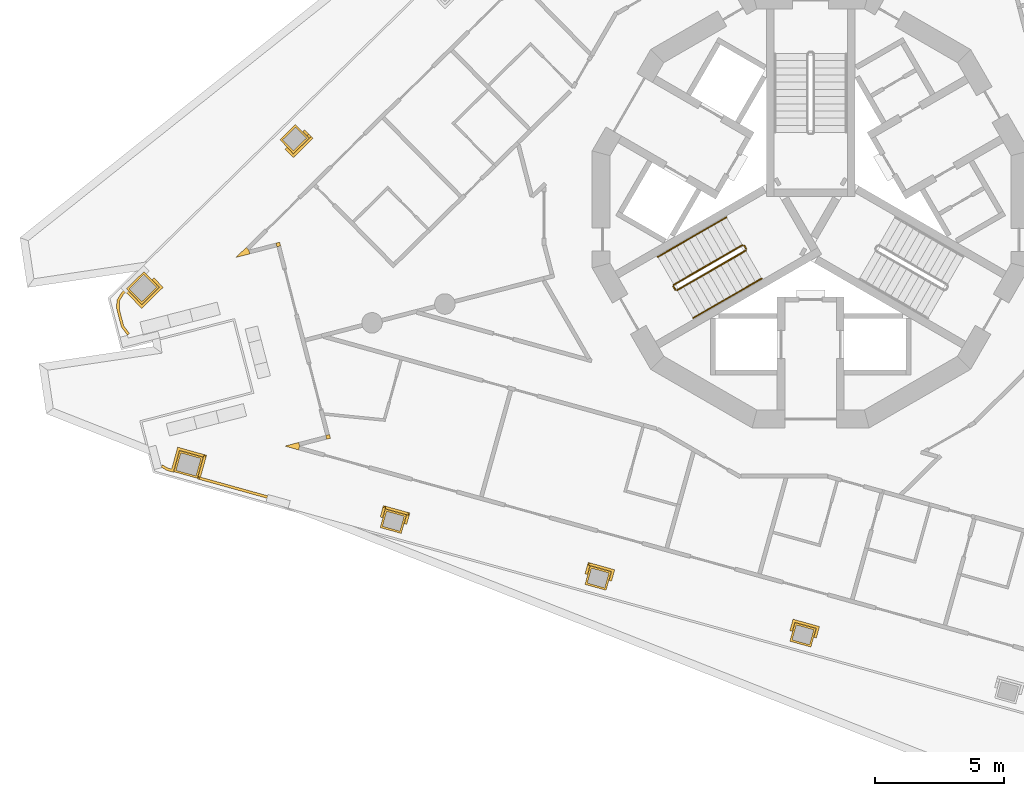
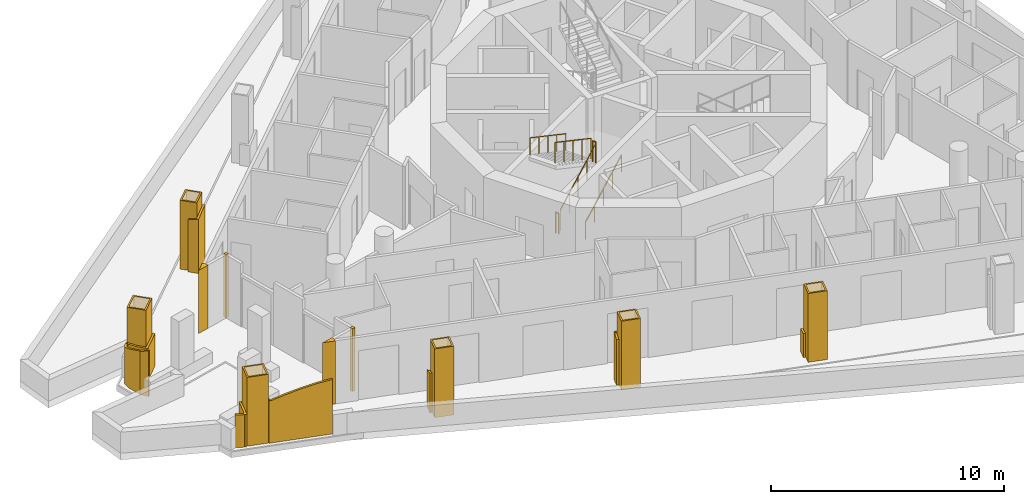
# One storey, part 10 of 14: 14 railings, 10 coverings.
"""IFC4 building model written with IfcOpenShell, lengths in metres."""

import ifcopenshell
import ifcopenshell.guid

model = None  # the IFC model being written
_history = None  # IfcOwnerHistory: only IFC2X3 demands one
_inside = {}  # id of a spatial element -> (the spatial element, [elements in it])
_under = {}  # id of a project, library or spatial element -> (it, [spatial elements below it])
_declared = {}  # id of a project -> (the project, [libraries it declares])
_typed = {}  # id of a type object -> (the type object, [elements of that type])
_made_of = {}  # id of a material, layer set ... -> (it, [elements and type objects made of it])


def new_model(schema):
    """Start an empty IFC model of exactly this schema.

    Asked for "IFC4X3", IfcOpenShell would pick the latest addendum, in which some entities
    have other attributes; the version numbers below select the first issue.
    IFC2X3 requires an IfcOwnerHistory on every rooted entity: one is made here for all.
    """
    global model, _history
    if schema == "IFC4X3":
        model = ifcopenshell.file(schema_version=(4, 3, 0, 0))
    else:
        model = ifcopenshell.file(schema=schema)
    _inside.clear()
    _under.clear()
    _declared.clear()
    _typed.clear()
    _made_of.clear()
    _history = None
    if model.schema == "IFC2X3":
        org = make("IfcOrganization", Name="unknown")
        user = make(
            "IfcPersonAndOrganization",
            ThePerson=make("IfcPerson", FamilyName="unknown"),
            TheOrganization=org,
        )
        app = make(
            "IfcApplication",
            ApplicationDeveloper=org,
            Version="unknown",
            ApplicationFullName="unknown",
            ApplicationIdentifier="unknown",
        )
        _history = make(
            "IfcOwnerHistory",
            OwningUser=user,
            OwningApplication=app,
            ChangeAction="ADDED",
            CreationDate=0,
        )
    return model


def make(cls, **values):
    """One entity of the class cls with the attributes given. An attribute that is None is left unset."""
    return model.create_entity(
        cls, **{name: value for name, value in values.items() if value is not None}
    )


def rooted(cls, **values):
    """An entity with a GlobalId (a new one), such as an element, a storey or a relation."""
    return make(cls, GlobalId=ifcopenshell.guid.new(), OwnerHistory=_history, **values)


def si_unit(unit_type, name, prefix=None):
    """IfcSIUnit, for example si_unit("LENGTHUNIT", "METRE", prefix="MILLI")."""
    return make("IfcSIUnit", UnitType=unit_type, Prefix=prefix, Name=name)


def assignment(units):
    """IfcUnitAssignment: the units of a project."""
    return None if units is None else make("IfcUnitAssignment", Units=units)


def point(xyz):
    """IfcCartesianPoint."""
    return None if xyz is None else make("IfcCartesianPoint", Coordinates=xyz)


def direction(xyz):
    """IfcDirection."""
    return None if xyz is None else make("IfcDirection", DirectionRatios=xyz)


def frame(location, z_axis=None, x_axis=None):
    """IfcAxis2Placement3D, a coordinate frame: its origin and axes. An axis left out is left unset."""
    return make(
        "IfcAxis2Placement3D",
        Location=point(location),
        Axis=direction(z_axis),
        RefDirection=direction(x_axis),
    )


def frame_2d(location, x_axis=None):
    """IfcAxis2Placement2D, a coordinate frame in the plane: its origin and x axis."""
    return make(
        "IfcAxis2Placement2D", Location=point(location), RefDirection=direction(x_axis)
    )


def origin():
    """The frame at (0, 0, 0) with its axes left unset."""
    return frame((0.0, 0.0, 0.0))


def origin_2d():
    """The frame at (0, 0) in the plane with its x axis left unset."""
    return frame_2d((0.0, 0.0))


def place(relative_to, where):
    """IfcLocalPlacement: puts the frame where relative to a parent placement (None: the world)."""
    return make(
        "IfcLocalPlacement", PlacementRelTo=relative_to, RelativePlacement=where
    )


def context(
    kind, dimensions, precision=None, world=None, true_north=None, identifier=None
):
    """IfcGeometricRepresentationContext, for example the 3D "Model" context."""
    return make(
        "IfcGeometricRepresentationContext",
        ContextIdentifier=identifier,
        ContextType=kind,
        CoordinateSpaceDimension=dimensions,
        Precision=precision,
        WorldCoordinateSystem=world,
        TrueNorth=true_north,
    )


def subcontext(parent, identifier, kind, view, scale=None):
    """IfcGeometricRepresentationSubContext, for example "Body" below "Model"."""
    return make(
        "IfcGeometricRepresentationSubContext",
        ContextIdentifier=identifier,
        ContextType=kind,
        ParentContext=parent,
        TargetScale=scale,
        TargetView=view,
    )


def project(units=None, contexts=None):
    """IfcProject with its units and contexts."""
    return rooted(
        "IfcProject",
        Name="project",
        RepresentationContexts=contexts,
        UnitsInContext=assignment(units),
    )


def spatial(cls, under=None, at=None, **own):
    """A site, building, storey or space (cls), placed at a placement, below another one or the project."""
    s = rooted(cls, ObjectPlacement=at, **own)
    if under is not None:
        _under.setdefault(under.id(), (under, []))[1].append(s)
    return s


def polyline(points):
    """IfcPolyline through the points."""
    return make("IfcPolyline", Points=[point(p) for p in points])


def profile(cls, at=None, kind="AREA", **sizes):
    """A parametric profile (cls). Its sizes go by their IFC names, for example OverallWidth=200.0."""
    return make(cls, ProfileType=kind, Position=at, **sizes)


def circle(**sizes):
    """IfcCircleProfileDef."""
    return profile("IfcCircleProfileDef", **sizes)


def outline(outer, holes=None, kind="AREA"):
    """IfcArbitraryClosedProfileDef: a profile drawn as a closed curve; with holes, ...WithVoids."""
    if holes is None:
        return make("IfcArbitraryClosedProfileDef", ProfileType=kind, OuterCurve=outer)
    return make(
        "IfcArbitraryProfileDefWithVoids",
        ProfileType=kind,
        OuterCurve=outer,
        InnerCurves=holes,
    )


def extrude(swept, where, along, depth):
    """IfcExtrudedAreaSolid: the profile swept, set in the frame where, extruded along a direction by depth."""
    return make(
        "IfcExtrudedAreaSolid",
        SweptArea=swept,
        Position=where,
        ExtrudedDirection=direction(along),
        Depth=depth,
    )


def shape(context_of_items, identifier, shape_type, items):
    """IfcShapeRepresentation: the items that make up one representation, for example the "Body"."""
    return make(
        "IfcShapeRepresentation",
        ContextOfItems=context_of_items,
        RepresentationIdentifier=identifier,
        RepresentationType=shape_type,
        Items=items,
    )


def material(Name=None, Category=None):
    """IfcMaterial."""
    return make("IfcMaterial", Name=Name, Category=Category)


def layer(
    of_material, thickness, ventilated=None, Name=None, Category=None, Priority=None
):
    """IfcMaterialLayer: one layer of a wall or slab, of a material (None: an air gap)."""
    return make(
        "IfcMaterialLayer",
        Material=of_material,
        LayerThickness=thickness,
        IsVentilated=ventilated,
        Name=Name,
        Category=Category,
        Priority=Priority,
    )


def layer_set(layers, Name=None):
    """IfcMaterialLayerSet."""
    return make("IfcMaterialLayerSet", MaterialLayers=layers, LayerSetName=Name)


def made_of(thing, what):
    """Note that an element or type object is made of a material, layer set ...; save() writes the relation."""
    if what is not None:
        _made_of.setdefault(what.id(), (what, []))[1].append(thing)
    return thing


def type_object(cls, material=None, **own):
    """A type object (cls), such as IfcWallType, which elements share."""
    return made_of(rooted(cls, **own), material)


def element(
    cls,
    number,
    at=None,
    inside=None,
    cuts=None,
    type_object=None,
    material=None,
    context=None,
    identifier="Body",
    shape_type=None,
    held_by="IfcProductDefinitionShape",
    body=None,
    shapes=None,
    **own,
):
    """One element of the class cls, such as IfcWall. Its Tag is "e" and its number.

    at: its placement. inside: the storey or other place that contains it. cuts: it is an
    opening in that element (IfcRelVoidsElement). A single representation is given by context,
    identifier, shape_type and body (its items); several are given by shapes. held_by: the class
    of the entity that holds the representations. save() writes the other relations.
    """
    e = rooted(cls, Tag="e%d" % number, ObjectPlacement=at, **own)
    if body is not None:
        shapes = [shape(context, identifier, shape_type, body)]
    if shapes is not None:
        e.Representation = make(held_by, Representations=shapes)
    if inside is not None:
        _inside.setdefault(inside.id(), (inside, []))[1].append(e)
    if cuts is not None:
        rooted(
            "IfcRelVoidsElement", RelatingBuildingElement=cuts, RelatedOpeningElement=e
        )
    if type_object is not None:
        _typed.setdefault(type_object.id(), (type_object, []))[1].append(e)
    return made_of(e, material)


def aggregate(whole, parts):
    """IfcRelAggregates: a whole, such as a stair, and the parts it consists of."""
    return rooted("IfcRelAggregates", RelatingObject=whole, RelatedObjects=parts)


def save(model, path):
    """Write the relations noted so far, then the file.

    IfcRelAggregates (storeys below a building ...), IfcRelContainedInSpatialStructure (elements
    in a storey), IfcRelDefinesByType, IfcRelAssociatesMaterial and IfcRelDeclares: one each for
    every whole, place, type object, material and project.
    """
    for whole, parts in _under.values():
        aggregate(whole, parts)
    for where, things in _inside.values():
        rooted(
            "IfcRelContainedInSpatialStructure",
            RelatedElements=things,
            RelatingStructure=where,
        )
    for kind, things in _typed.values():
        rooted("IfcRelDefinesByType", RelatedObjects=things, RelatingType=kind)
    for what, things in _made_of.values():
        rooted("IfcRelAssociatesMaterial", RelatedObjects=things, RelatingMaterial=what)
    for by, libraries in _declared.values():
        rooted("IfcRelDeclares", RelatingContext=by, RelatedDefinitions=libraries)
    model.write(path)


model = new_model("IFC4")

# Units and contexts
model_context = context("Model", 3, precision=1e-05, world=origin(), true_north=direction((0.0, 1.0)))
body_context = subcontext(model_context, "Body", "Model", "MODEL_VIEW")
ifc_project = project(units=[si_unit("LENGTHUNIT", "METRE"), si_unit("AREAUNIT", "SQUARE_METRE"), si_unit("VOLUMEUNIT", "CUBIC_METRE"), si_unit("PLANEANGLEUNIT", "RADIAN"), si_unit("MASSUNIT", "GRAM", prefix="KILO")], contexts=[model_context])

# Site, building, storey
site_placement = place(None, origin())
site = spatial("IfcSite", under=ifc_project, at=site_placement, CompositionType="ELEMENT")
building_placement = place(site_placement, origin())
building = spatial("IfcBuilding", under=site, at=building_placement, Name="Trine Commons Tower", CompositionType="ELEMENT")
storey_placement = place(building_placement, frame((0.0, 0.0, 234.89990234375)))
storey = spatial("IfcBuildingStorey", under=building, at=storey_placement, Name="L61", CompositionType="ELEMENT", Elevation=234.89990234375)

# Coverings
ifc_material_1 = material(Name="Aluminium-framed insulated wall panel", Category="aluminium")
ifc_layer_1 = layer(ifc_material_1, 0.14990234375)
ifc_layer_set_1 = layer_set([ifc_layer_1], Name="Aluminium-framed insulated wall panel")
covering_type_1 = type_object("IfcCoveringType", Name="Glazing corner post, aluminium", PredefinedType="CLADDING", material=ifc_layer_set_1)
covering_1_placement = place(storey_placement, origin())
element("IfcCovering", 1, at=covering_1_placement, inside=storey, type_object=covering_type_1, Name="Glazing corner post 7-01", PredefinedType="CLADDING", context=body_context, shape_type="SweptSolid", body=[
    extrude(outline(polyline([(58.186279296875, 60.773193359375), (58.14892578125, 60.91845703125), (58.043701171875, 61.025390625), (57.644287109375, 60.63330078125), (58.186279296875, 60.773193359375)])), origin(), (0.0, 0.0, 1.0), 3.300048828125),
])
covering_2_placement = place(storey_placement, origin())
element("IfcCovering", 2, at=covering_2_placement, inside=storey, type_object=covering_type_1, Name="Glazing corner post 7-10", PredefinedType="CLADDING", context=body_context, shape_type="SweptSolid", body=[
    extrude(outline(polyline([(60.081787109375, 53.14501953125), (60.121826171875, 53.28955078125), (60.084228515625, 53.434814453125), (59.542236328125, 53.294677734375), (60.081787109375, 53.14501953125)])), origin(), (0.0, 0.0, 1.0), 3.300048828125),
])
covering_3_placement = place(storey_placement, origin())
element("IfcCovering", 3, at=covering_3_placement, inside=storey, type_object=covering_type_1, Name="Glazing corner post 7-11", PredefinedType="CLADDING", context=body_context, shape_type="SweptSolid", body=[
    extrude(outline(polyline([(61.135498046875, 53.70654296875), (61.135498046875, 53.70654296875), (61.173095703125, 53.561279296875), (61.318115234375, 53.598876953125), (61.28076171875, 53.744140625), (61.135498046875, 53.70654296875)])), origin(), (0.0, 0.0, 1.0), 3.300048828125),
])
covering_4_placement = place(storey_placement, origin())
element("IfcCovering", 4, at=covering_4_placement, inside=storey, type_object=covering_type_1, Name="Glazing corner post 7-12", PredefinedType="CLADDING", context=body_context, shape_type="SweptSolid", body=[
    extrude(outline(polyline([(59.199951171875, 61.1904296875), (59.237548828125, 61.045166015625), (59.3828125, 61.082763671875), (59.34521484375, 61.227783203125), (59.199951171875, 61.1904296875)])), origin(), (0.0, 0.0, 1.0), 3.300048828125),
])
ifc_material_2 = material(Name="Limestone, honed", Category="masonry")
ifc_layer_2 = layer(ifc_material_2, 0.074951171875)
ifc_layer_set_2 = layer_set([ifc_layer_2], Name="Limestone, honed")
covering_type_2 = type_object("IfcCoveringType", Name="Limestone column cladding 75", PredefinedType="CLADDING", material=ifc_layer_set_2)
covering_5_placement = place(storey_placement, origin())
element("IfcCovering", 5, at=covering_5_placement, inside=storey, type_object=covering_type_2, Name="Limestone pier cladding 7-03", PredefinedType="CLADDING", context=body_context, shape_type="SweptSolid", body=[
    extrude(outline(polyline([(79.3916015625, 46.42529296875), (79.19091796875, 45.70263671875), (80.010009765625, 45.4755859375), (80.210693359375, 46.1982421875), (79.3916015625, 46.42529296875)]), holes=[polyline([(79.443603515625, 46.3330078125), (79.283447265625, 45.7548828125), (79.9580078125, 45.56787109375), (80.1181640625, 46.14599609375), (79.443603515625, 46.3330078125)])]), origin(), (0.0, 0.0, 1.0), 3.60009765625),
])
covering_6_placement = place(storey_placement, origin())
element("IfcCovering", 6, at=covering_6_placement, inside=storey, type_object=covering_type_2, Name="Limestone pier cladding 7-04", PredefinedType="CLADDING", context=body_context, shape_type="SweptSolid", body=[
    extrude(outline(polyline([(71.423583984375, 48.635009765625), (71.222900390625, 47.912353515625), (72.0419921875, 47.685302734375), (72.24267578125, 48.407958984375), (71.423583984375, 48.635009765625)]), holes=[polyline([(71.4755859375, 48.542724609375), (71.3154296875, 47.964599609375), (71.989990234375, 47.777587890625), (72.150146484375, 48.355712890625), (71.4755859375, 48.542724609375)])]), origin(), (0.0, 0.0, 1.0), 3.60009765625),
])
covering_7_placement = place(storey_placement, origin())
element("IfcCovering", 7, at=covering_7_placement, inside=storey, type_object=covering_type_2, Name="Limestone pier cladding 7-05", PredefinedType="CLADDING", context=body_context, shape_type="SweptSolid", body=[
    extrude(outline(polyline([(63.45556640625, 50.8447265625), (63.2548828125, 50.1220703125), (64.07421875, 49.89501953125), (64.274658203125, 50.61767578125), (63.45556640625, 50.8447265625)]), holes=[polyline([(63.5078125, 50.75244140625), (63.347412109375, 50.17431640625), (64.02197265625, 49.9873046875), (64.18212890625, 50.5654296875), (63.5078125, 50.75244140625)])]), origin(), (0.0, 0.0, 1.0), 3.60009765625),
])
covering_8_placement = place(storey_placement, origin())
element("IfcCovering", 8, at=covering_8_placement, inside=storey, type_object=covering_type_2, Name="Limestone pier cladding 7-06", PredefinedType="CLADDING", context=body_context, shape_type="SweptSolid", body=[
    extrude(outline(polyline([(55.45263671875, 53.115966796875), (55.2255859375, 52.296875), (56.140869140625, 52.04296875), (56.3681640625, 52.862060546875), (55.45263671875, 53.115966796875)]), holes=[polyline([(55.5048828125, 53.023681640625), (55.31787109375, 52.34912109375), (56.088623046875, 52.13525390625), (56.27587890625, 52.809814453125), (55.5048828125, 53.023681640625)])]), origin(), (0.0, 0.0, 1.0), 3.60009765625),
])
covering_9_placement = place(storey_placement, origin())
element("IfcCovering", 9, at=covering_9_placement, inside=storey, type_object=covering_type_2, Name="Limestone pier cladding 7-07", PredefinedType="CLADDING", context=body_context, shape_type="SweptSolid", body=[
    extrude(outline(polyline([(54.65869140625, 59.472412109375), (54.062744140625, 60.078857421875), (53.38525390625, 59.412841796875), (53.98095703125, 58.806640625), (54.65869140625, 59.472412109375)]), holes=[polyline([(54.552490234375, 59.473388671875), (54.06201171875, 59.97265625), (53.4912109375, 59.412109375), (53.98193359375, 58.91259765625), (54.552490234375, 59.473388671875)])]), origin(), (0.0, 0.0, 1.0), 3.60009765625),
])
covering_10_placement = place(storey_placement, origin())
element("IfcCovering", 10, at=covering_10_placement, inside=storey, type_object=covering_type_2, Name="Limestone pier cladding 7-08", PredefinedType="CLADDING", context=body_context, shape_type="SweptSolid", body=[
    extrude(outline(polyline([(60.485595703125, 65.268798828125), (59.959716796875, 65.8037109375), (59.353515625, 65.2080078125), (59.879150390625, 64.6728515625), (60.485595703125, 65.268798828125)]), holes=[polyline([(60.37939453125, 65.26953125), (59.958984375, 65.697509765625), (59.459716796875, 65.20703125), (59.880126953125, 64.779052734375), (60.37939453125, 65.26953125)])]), origin(), (0.0, 0.0, 1.0), 3.60009765625),
])

# Railings
ifc_material_3 = material(Name="Stainless steel balustrade", Category="steel")
railing_type_1 = type_object("IfcRailingType", Name="Stair guard, steel balustrade 1100", PredefinedType="GUARDRAIL", material=ifc_material_3)
railing_1_placement = place(storey_placement, frame((74.80517578125, 59.3564453125, 0.150146484375)))
element("IfcRailing", 11, at=railing_1_placement, inside=storey, type_object=railing_type_1, Name="L61 ST2C stair guard 1", PredefinedType="GUARDRAIL", context=body_context, shape_type="SweptSolid", body=[
    extrude(circle(Radius=0.02392578125, at=origin_2d()), frame((0.0, 0.0, 1.076171875), z_axis=(0.76340495495, 0.440743040072, 0.472184759798), x_axis=(-0.499992328818, 0.866029832698, 0.0)), (0.0, 0.0, 1.0), 3.494140625),
    extrude(circle(Radius=0.02099609375, at=origin_2d()), origin(), (0.0, 0.0, 1.0), 1.052001953125),
    extrude(circle(Radius=0.02099609375, at=origin_2d()), frame((0.6669921875, 0.385009765625, 0.41259765625)), (0.0, 0.0, 1.0), 1.052001953125),
    extrude(circle(Radius=0.02099609375, at=origin_2d()), frame((1.333740234375, 0.77001953125, 0.824951171875)), (0.0, 0.0, 1.0), 1.052001953125),
    extrude(circle(Radius=0.02099609375, at=origin_2d()), frame((2.00048828125, 1.155029296875, 1.2373046875)), (0.0, 0.0, 1.0), 1.052001953125),
    extrude(circle(Radius=0.02099609375, at=origin_2d()), frame((2.66748046875, 1.5400390625, 1.64990234375)), (0.0, 0.0, 1.0), 1.052001953125),
])
railing_2_placement = place(storey_placement, frame((77.490966796875, 60.96484375, 1.800048828125)))
element("IfcRailing", 12, at=railing_2_placement, inside=storey, type_object=railing_type_1, Name="L61 ST2C stair guard 2", PredefinedType="GUARDRAIL", context=body_context, shape_type="SweptSolid", body=[
    extrude(circle(Radius=0.02392578125, at=origin_2d()), frame((0.0, 0.0, 1.076171875), z_axis=(-0.501036270542, 0.865426285481, 0.0), x_axis=(-0.865426285481, -0.501036270542, 0.0)), (0.0, 0.0, 1.0), 0.150146484375),
    extrude(circle(Radius=0.02099609375, at=origin_2d()), origin(), (0.0, 0.0, 1.0), 1.052001953125),
    extrude(circle(Radius=0.02099609375, at=origin_2d()), frame((-0.0751953125, 0.1298828125, 0.0)), (0.0, 0.0, 1.0), 1.052001953125),
])
railing_3_placement = place(storey_placement, frame((77.34765625, 61.113037109375, 1.9501953125)))
element("IfcRailing", 13, at=railing_3_placement, inside=storey, type_object=railing_type_1, Name="L61 ST2C stair guard 3", PredefinedType="GUARDRAIL", context=body_context, shape_type="SweptSolid", body=[
    extrude(circle(Radius=0.02392578125, at=origin_2d()), frame((0.0, 0.0, 1.076171875), z_axis=(-0.76340495495, -0.440743040072, 0.472184759798), x_axis=(0.499992328818, -0.866029832698, 0.0)), (0.0, 0.0, 1.0), 3.494140625),
    extrude(circle(Radius=0.02099609375, at=origin_2d()), origin(), (0.0, 0.0, 1.0), 1.052001953125),
    extrude(circle(Radius=0.02099609375, at=origin_2d()), frame((-0.6669921875, -0.385009765625, 0.41259765625)), (0.0, 0.0, 1.0), 1.052001953125),
    extrude(circle(Radius=0.02099609375, at=origin_2d()), frame((-1.333740234375, -0.77001953125, 0.824951171875)), (0.0, 0.0, 1.0), 1.052001953125),
    extrude(circle(Radius=0.02099609375, at=origin_2d()), frame((-2.00048828125, -1.155029296875, 1.2373046875)), (0.0, 0.0, 1.0), 1.052001953125),
    extrude(circle(Radius=0.02099609375, at=origin_2d()), frame((-2.66748046875, -1.5400390625, 1.64990234375)), (0.0, 0.0, 1.0), 1.052001953125),
])
railing_4_placement = place(storey_placement, frame((74.73681640625, 59.374755859375, 0.0)))
element("IfcRailing", 14, at=railing_4_placement, inside=storey, type_object=railing_type_1, Name="L61 ST2C stair guard 4", PredefinedType="GUARDRAIL", context=body_context, shape_type="SweptSolid", body=[
    extrude(circle(Radius=0.02392578125, at=origin_2d()), frame((0.0, 0.0, 1.076171875), z_axis=(-0.499816412211, 0.866131372301, 0.0), x_axis=(-0.866131372301, -0.499816412211, 0.0)), (0.0, 0.0, 1.0), 0.14990234375),
    extrude(circle(Radius=0.02099609375, at=origin_2d()), origin(), (0.0, 0.0, 1.0), 1.052001953125),
    extrude(circle(Radius=0.02099609375, at=origin_2d()), frame((-0.074951171875, 0.1298828125, 0.0)), (0.0, 0.0, 1.0), 1.052001953125),
])
ifc_material_4 = material(Name="Stainless steel handrail", Category="steel")
railing_type_2 = type_object("IfcRailingType", Name="Stair handrail, steel 900", PredefinedType="HANDRAIL", material=ifc_material_4)
for number, where, name in (
    (15, (75.43017578125, 58.27392578125, 0.150146484375), "L61 ST2C stair handrail 1"),
    (16, (76.763916015625, 59.0439453125, 0.97509765625), "L61 ST2C stair handrail 2"),
):
    element("IfcRailing", number, at=place(storey_placement, frame(where)), inside=storey, type_object=railing_type_2, Name=name, PredefinedType="HANDRAIL", context=body_context, shape_type="SweptSolid", body=[
        extrude(circle(Radius=0.02099609375, at=origin_2d()), frame((0.0, 0.0, 0.87890625), z_axis=(0.76340495495, 0.440743040072, 0.472184759798), x_axis=(-0.499992328818, 0.866029832698, 0.0)), (0.0, 0.0, 1.0), 1.7470703125),
        extrude(circle(Radius=0.01513671875, at=origin_2d()), origin(), (0.0, 0.0, 1.0), 0.85791015625),
        extrude(circle(Radius=0.01513671875, at=origin_2d()), frame((0.6669921875, 0.385009765625, 0.41259765625)), (0.0, 0.0, 1.0), 0.85791015625),
        extrude(circle(Radius=0.01513671875, at=origin_2d()), frame((1.333740234375, 0.77001953125, 0.824951171875)), (0.0, 0.0, 1.0), 0.85791015625),
    ])
for number, where, name in (
    (17, (76.72265625, 62.195556640625, 1.9501953125), "L61 ST2C stair handrail 3"),
    (18, (75.388916015625, 61.425537109375, 2.775146484375), "L61 ST2C stair handrail 4"),
):
    element("IfcRailing", number, at=place(storey_placement, frame(where)), inside=storey, type_object=railing_type_2, Name=name, PredefinedType="HANDRAIL", context=body_context, shape_type="SweptSolid", body=[
        extrude(circle(Radius=0.02099609375, at=origin_2d()), frame((0.0, 0.0, 0.87890625), z_axis=(-0.76340495495, -0.440743040072, 0.472184759798), x_axis=(0.499992328818, -0.866029832698, 0.0)), (0.0, 0.0, 1.0), 1.7470703125),
        extrude(circle(Radius=0.01513671875, at=origin_2d()), origin(), (0.0, 0.0, 1.0), 0.85791015625),
        extrude(circle(Radius=0.01513671875, at=origin_2d()), frame((-0.6669921875, -0.385009765625, 0.41259765625)), (0.0, 0.0, 1.0), 0.85791015625),
        extrude(circle(Radius=0.01513671875, at=origin_2d()), frame((-1.333740234375, -0.77001953125, 0.824951171875)), (0.0, 0.0, 1.0), 0.85791015625),
    ])
ifc_material_5 = material(Name="White powder-coated aluminium", Category="aluminium")
ifc_layer_3 = layer(ifc_material_5, 0.10009765625)
ifc_layer_set_3 = layer_set([ifc_layer_3], Name="White powder-coated aluminium")
railing_type_3 = type_object("IfcRailingType", Name="White balustrade band 100", PredefinedType="GUARDRAIL", material=ifc_layer_set_3)
railing_5_placement = place(storey_placement, origin())
element("IfcRailing", 19, at=railing_5_placement, inside=storey, type_object=railing_type_3, Name="Guard band L61 2", PredefinedType="GUARDRAIL", context=body_context, shape_type="SweptSolid", body=[
    extrude(outline(polyline([(0.0, 0.0), (0.466064453125, 0.0), (0.46630859375, 1.106201171875), (0.46630859375, 1.106201171875), (0.1494140625, 1.10009765625), (0.0, 1.1015625), (0.0, 0.0)])), frame((80.125244140625, 45.853515625, 0.0), z_axis=(0.963667824798, -0.267103581873, 0.0), x_axis=(0.267103581873, 0.963667824798, 0.0)), (0.0, 0.0, 1.0), 0.10009765625),
    extrude(outline(polyline([(0.0, 0.0), (1.07177734375, 0.0), (1.071533203125, 1.19970703125), (0.535888671875, 1.13427734375), (0.0, 1.102783203125), (0.0, 0.0)])), frame((80.319580078125, 46.17822265625, 0.0), z_axis=(0.267220855966, 0.963635311794, 0.0), x_axis=(-0.963635311794, 0.267220855966, 0.0)), (0.0, 0.0, 1.0), 0.10009765625),
    extrude(outline(polyline([(0.0, 0.0), (0.46533203125, 0.0), (0.465576171875, 1.26171875), (0.0, 1.184814453125), (0.0, 0.0)])), frame((79.41162109375, 46.534423828125, 0.0), z_axis=(-0.963555473678, 0.267508596394, 0.0), x_axis=(-0.267508596394, -0.963555473678, 0.0)), (0.0, 0.0, 1.0), 0.10009765625),
])
railing_6_placement = place(storey_placement, origin())
element("IfcRailing", 20, at=railing_6_placement, inside=storey, type_object=railing_type_3, Name="Guard band L61 3", PredefinedType="GUARDRAIL", context=body_context, shape_type="SweptSolid", body=[
    extrude(outline(polyline([(0.0, 0.0), (0.4658203125, 0.0), (0.4658203125, 2.72216796875), (0.4658203125, 2.72216796875), (0.0, 2.72998046875), (0.0, 0.0)])), frame((72.1572265625, 48.063232421875, 0.0), z_axis=(0.96363043115, -0.267238455621, 0.0), x_axis=(0.267238455621, 0.96363043115, 0.0)), (0.0, 0.0, 1.0), 0.10009765625),
    extrude(outline(polyline([(0.0, 0.0), (1.072021484375, 0.0), (1.07177734375, 2.48828125), (0.535888671875, 2.627197265625), (0.0, 2.74169921875), (0.0, 0.0)])), frame((72.35205078125, 48.3876953125, 0.0), z_axis=(0.267162206544, 0.963651573648, 0.0), x_axis=(-0.963651573648, 0.267162206544, 0.0)), (0.0, 0.0, 1.0), 0.10009765625),
    extrude(outline(polyline([(0.0, 0.0), (0.46533203125, 0.0), (0.465576171875, 2.382568359375), (0.0, 2.51611328125), (0.0, 0.0)])), frame((71.443603515625, 48.744140625, 0.0), z_axis=(-0.963555473678, 0.267508596394, 0.0), x_axis=(-0.267508596394, -0.963555473678, 0.0)), (0.0, 0.0, 1.0), 0.10009765625),
])
railing_7_placement = place(storey_placement, origin())
element("IfcRailing", 21, at=railing_7_placement, inside=storey, type_object=railing_type_3, Name="Guard band L61 4", PredefinedType="GUARDRAIL", context=body_context, shape_type="SweptSolid", body=[
    extrude(outline(polyline([(0.0, 0.0), (0.466064453125, 0.0), (0.46630859375, 1.643310546875), (0.0, 1.507080078125), (0.0, 0.0)])), frame((64.189208984375, 50.27294921875, 0.0), z_axis=(0.963667824798, -0.267103581873, 0.0), x_axis=(0.267103581873, 0.963667824798, 0.0)), (0.0, 0.0, 1.0), 0.10009765625),
    extrude(outline(polyline([(0.0, 0.0), (1.072021484375, 0.0), (1.072021484375, 1.955078125), (0.5361328125, 1.779541015625), (0.0, 1.612548828125), (0.0, 0.0)])), frame((64.3837890625, 50.597412109375, 0.0), z_axis=(0.267373690503, 0.963592916966, 0.0), x_axis=(-0.963592916966, 0.267373690503, 0.0)), (0.0, 0.0, 1.0), 0.10009765625),
    extrude(outline(polyline([(0.0, 0.0), (0.4658203125, 0.0), (0.4658203125, 2.07568359375), (0.0, 1.92138671875), (0.0, 0.0)])), frame((63.4755859375, 50.954345703125, 0.0), z_axis=(-0.96363043115, 0.267238455621, 0.0), x_axis=(-0.267238455621, -0.96363043115, 0.0)), (0.0, 0.0, 1.0), 0.10009765625),
])
railing_8_placement = place(storey_placement, origin())
element("IfcRailing", 22, at=railing_8_placement, inside=storey, type_object=railing_type_3, Name="Guard band L61 5", PredefinedType="GUARDRAIL", context=body_context, shape_type="SweptSolid", body=[
    extrude(outline(polyline([(0.0, 0.0), (2.82275390625, 0.0), (2.82275390625, 2.1884765625), (2.82275390625, 2.1884765625), (2.087646484375, 2.417236328125), (1.352783203125, 2.615478515625), (0.61767578125, 2.768798828125), (0.0, 2.8505859375), (0.0, 0.0)])), frame((58.863037109375, 51.261962890625, 0.0), z_axis=(0.267264659884, 0.963623163678, 0.0), x_axis=(-0.963623163678, 0.267264659884, 0.0)), (0.0, 0.0, 1.0), 0.10009765625),
    extrude(outline(polyline([(0.0, 0.0), (0.986328125, 0.0), (0.986572265625, 1.896484375), (0.4931640625, 2.059814453125), (0.0, 2.22119140625), (0.0, 0.0)])), frame((56.1435546875, 52.015869140625, 0.0), z_axis=(0.963606511092, -0.267324693547, 0.0), x_axis=(0.267324693547, 0.963606511092, 0.0)), (0.0, 0.0, 1.0), 0.10009765625),
    extrude(outline(polyline([(0.0, 0.0), (1.17138671875, 0.0), (1.171630859375, 1.7001953125), (0.585693359375, 1.7392578125), (0.0, 1.929931640625), (0.0, 0.0)])), frame((56.477294921875, 52.842041015625, 0.0), z_axis=(0.267170897174, 0.963649164221, 0.0), x_axis=(-0.963649164221, 0.267170897174, 0.0)), (0.0, 0.0, 1.0), 0.10009765625),
    extrude(outline(polyline([(0.0, 0.0), (0.987060546875, 0.0), (0.98681640625, 1.699951171875), (0.493408203125, 1.7001953125), (0.0, 1.7001953125), (0.0, 0.0)])), frame((55.472900390625, 53.225341796875, 0.0), z_axis=(-0.963595823624, 0.267363214922, 0.0), x_axis=(-0.267363214922, -0.963595823624, 0.0)), (0.0, 0.0, 1.0), 0.10009765625),
    extrude(outline(polyline([(0.0, 0.0), (0.261962890625, 0.0), (0.261962890625, 1.7001953125), (0.0, 1.7001953125), (0.0, 0.0)])), frame((55.2099609375, 52.275146484375, 0.0), z_axis=(0.266586054538, 0.963811120254, 0.0), x_axis=(-0.963811120254, 0.266586054538, 0.0)), (0.0, 0.0, 1.0), 0.10009765625),
    extrude(outline(polyline([(0.0, 0.0), (0.266357421875, 0.0), (0.266357421875, 1.7001953125), (0.0, 1.7001953125), (0.0, 0.0)])), frame((54.959228515625, 52.344482421875, 0.0), z_axis=(0.507740897644, 0.861509826328, 0.0), x_axis=(-0.861509826328, 0.507740897644, 0.0)), (0.0, 0.0, 1.0), 0.10009765625),
])
railing_9_placement = place(storey_placement, origin())
element("IfcRailing", 23, at=railing_9_placement, inside=storey, type_object=railing_type_3, Name="Guard band L61 6", PredefinedType="GUARDRAIL", context=body_context, shape_type="SweptSolid", body=[
    extrude(outline(polyline([(0.0, 0.0), (0.397216796875, 0.0), (0.397216796875, 2.265380859375), (0.0, 2.38720703125), (0.0, 0.0)])), frame((53.4228515625, 57.6142578125, 0.0), z_axis=(0.798596123983, 0.601867286666, 0.0), x_axis=(-0.601867286666, 0.798596123983, 0.0)), (0.0, 0.0, 1.0), 0.10009765625),
    extrude(outline(polyline([(0.0, 0.0), (0.720947265625, 0.0), (0.72119140625, 2.037353515625), (0.0, 2.2724609375), (0.0, 0.0)])), frame((53.184814453125, 57.9296875, 0.0), z_axis=(0.968179456154, 0.250256949317, 0.0), x_axis=(-0.250256949317, 0.968179456154, 0.0)), (0.0, 0.0, 1.0), 0.10009765625),
    extrude(outline(polyline([(0.0, 0.0), (0.33154296875, 0.0), (0.33154296875, 1.932373046875), (0.0, 2.04248046875), (0.0, 0.0)])), frame((53.004638671875, 58.6259765625, 0.0), z_axis=(0.999960960205, -0.008836179324, 0.0), x_axis=(0.008836179324, 0.999960960205, 0.0)), (0.0, 0.0, 1.0), 0.10009765625),
    extrude(outline(polyline([(0.0, 0.0), (0.33203125, 0.0), (0.331787109375, 1.83251953125), (0.0, 1.941650390625), (0.0, 0.0)])), frame((53.007080078125, 58.956298828125, 0.0), z_axis=(0.86174513793, -0.507341420795, 0.0), x_axis=(0.507341420795, 0.86174513793, 0.0)), (0.0, 0.0, 1.0), 0.10009765625),
    extrude(outline(polyline([(0.0, 0.0), (0.261474609375, 0.0), (0.26123046875, 1.7529296875), (0.0, 1.83740234375), (0.0, 0.0)])), frame((53.174560546875, 59.2412109375, 0.0), z_axis=(0.700538195163, -0.713614908139, 0.0), x_axis=(0.713614908139, 0.700538195163, 0.0)), (0.0, 0.0, 1.0), 0.10009765625),
    extrude(outline(polyline([(0.0, 0.0), (0.987060546875, 0.0), (0.98681640625, 1.7001953125), (0.493408203125, 1.7001953125), (0.0, 1.785400390625), (0.0, 0.0)])), frame((53.35986328125, 59.42431640625, 0.0), z_axis=(-0.713141149582, -0.701020471008, 0.0), x_axis=(0.701020471008, -0.713141149582, 0.0)), (0.0, 0.0, 1.0), 0.10009765625),
    extrude(outline(polyline([(0.0, 0.0), (1.171875, 0.0), (1.172119140625, 1.7001953125), (0.5859375, 1.7001953125), (0.0, 1.7001953125), (0.0, 0.0)])), frame((53.908935546875, 58.7216796875, 0.0), z_axis=(0.701039323787, -0.713122616738, 0.0), x_axis=(0.713122616738, 0.701039323787, 0.0)), (0.0, 0.0, 1.0), 0.10009765625),
    extrude(outline(polyline([(0.0, 0.0), (0.515625, 0.0), (0.515380859375, 1.647705078125), (0.493408203125, 1.6572265625), (0.0, 1.7001953125), (0.0, 0.0)])), frame((54.7431640625, 59.400634765625, 0.0), z_axis=(0.71323673533, 0.700923219315, 0.0), x_axis=(-0.700923219315, 0.71323673533, 0.0)), (0.0, 0.0, 1.0), 0.10009765625),
])
railing_10_placement = place(storey_placement, origin())
element("IfcRailing", 24, at=railing_10_placement, inside=storey, type_object=railing_type_3, Name="Guard band L61 7", PredefinedType="GUARDRAIL", context=body_context, shape_type="SweptSolid", body=[
    extrude(outline(polyline([(0.0, 0.0), (0.465576171875, 0.0), (0.4658203125, 2.826904296875), (0.0, 2.730712890625), (0.0, 0.0)])), frame((59.623291015625, 64.919189453125, 0.0), z_axis=(-0.713111052992, -0.701051086655, 0.0), x_axis=(0.701051086655, -0.713111052992, 0.0)), (0.0, 0.0, 1.0), 0.10009765625),
    extrude(outline(polyline([(0.0, 0.0), (1.071533203125, 0.0), (1.071533203125, 2.89892578125), (0.535888671875, 2.873046875), (0.0, 2.81298828125), (0.0, 0.0)])), frame((59.80712890625, 64.588134765625, 0.0), z_axis=(0.70104341944, -0.71311859046, 0.0), x_axis=(0.71311859046, 0.70104341944, 0.0)), (0.0, 0.0, 1.0), 0.10009765625),
    extrude(outline(polyline([(0.0, 0.0), (0.4658203125, 0.0), (0.4658203125, 2.72998046875), (0.2333984375, 2.72998046875), (0.0, 2.896728515625), (0.0, 0.0)])), frame((60.5703125, 65.196533203125, 0.0), z_axis=(0.713368610392, 0.700789002273, 0.0), x_axis=(-0.700789002273, 0.713368610392, 0.0)), (0.0, 0.0, 1.0), 0.10009765625),
])

save(model, "model.ifc")
